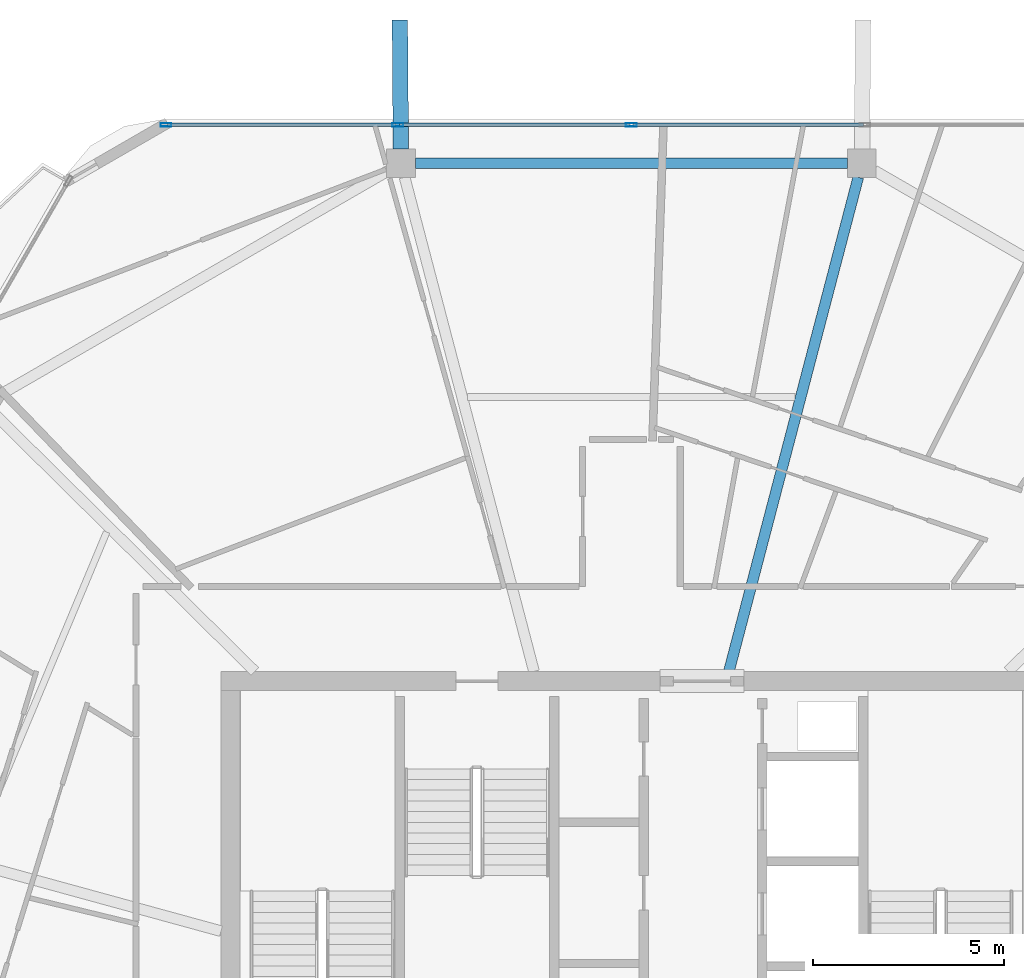
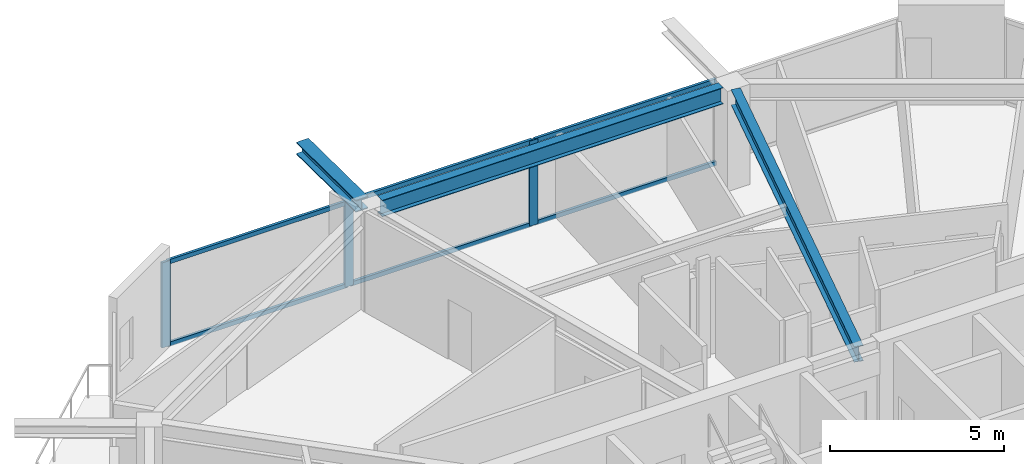
# One storey, part 10 of 23: 9 members, 3 beams, 1 element without a shape of its own.
"""IFC4 building model written with IfcOpenShell, lengths in metres."""

from ifc_helpers import new_model, si_unit, direction, frame, origin, origin_2d, place, context, subcontext, project, spatial, hollow_rectangle, i_section, extrude, material, material_profile, profile_set, type_object, element, aggregate, save


model = new_model("IFC4")

# Units and contexts
model_context = context("Model", 3, precision=1e-05, world=origin(), true_north=direction((0.0, 1.0)))
body_context = subcontext(model_context, "Body", "Model", "MODEL_VIEW")
ifc_project = project(units=[si_unit("LENGTHUNIT", "METRE"), si_unit("AREAUNIT", "SQUARE_METRE"), si_unit("VOLUMEUNIT", "CUBIC_METRE"), si_unit("PLANEANGLEUNIT", "RADIAN"), si_unit("MASSUNIT", "GRAM", prefix="KILO")], contexts=[model_context])

# Site, building, storey
site_placement = place(None, origin())
site = spatial("IfcSite", under=ifc_project, at=site_placement, CompositionType="ELEMENT")
building_placement = place(site_placement, origin())
building = spatial("IfcBuilding", under=site, at=building_placement, Name="Zuhravey Tower", CompositionType="ELEMENT")
storey_placement = place(building_placement, frame((0.0, 0.0, 350.0)))
storey = spatial("IfcBuildingStorey", under=building, at=storey_placement, Name="L89", CompositionType="ELEMENT", Elevation=350.0)

# Curtain wall, members
ifc_material_1 = material(Name="Thermally broken anodised aluminium", Category="aluminium")
curtain_wall_type = type_object("IfcCurtainWallType", Name="Zone 3-4 High-Rise Curtain Wall CW4", PredefinedType="NOTDEFINED", material=ifc_material_1)
curtain_wall_placement = place(storey_placement, origin())
curtain_wall = element("IfcCurtainWall", 1, at=curtain_wall_placement, inside=storey, type_object=curtain_wall_type, Name="L89 CW4 CW-L89-F2-1", PredefinedType="NOTDEFINED")
ifc_material_2 = material(Name="Anodised aluminium", Category="aluminium")
ifc_material_profile_1 = material_profile(ifc_material_2, hollow_rectangle(XDim=0.090087890625, YDim=0.284912109375, WallThickness=0.0048828125, at=origin_2d()), Name="ALU-RHS-90x285x5")
ifc_profile_set_1 = profile_set([ifc_material_profile_1], Name="Anodised aluminium")
member_type_1 = type_object("IfcMemberType", Name="Curtain-Wall Mullion 90x180", PredefinedType="MULLION", material=ifc_profile_set_1)
member_1_placement = place(storey_placement, frame((23.8056640625, 56.07421875, 0.0), z_axis=(0.0, 0.0, 1.0), x_axis=(0.0, 1.0, 0.0)))
member_1 = element("IfcMember", 2, at=member_1_placement, type_object=member_type_1, Name="CW4 mullion 1", PredefinedType="MULLION", context=body_context, shape_type="SweptSolid", body=[
    extrude(hollow_rectangle(XDim=0.090087890625, YDim=0.284912109375, WallThickness=0.0048828125, at=origin_2d()), origin(), (0.0, 0.0, 1.0), 2.987060546875),
])
member_2_placement = place(storey_placement, frame((29.88037109375, 56.07421875, 0.0), z_axis=(0.0, 0.0, 1.0), x_axis=(0.0, 1.0, 0.0)))
member_2 = element("IfcMember", 3, at=member_2_placement, type_object=member_type_1, Name="CW4 mullion 2", PredefinedType="MULLION", context=body_context, shape_type="SweptSolid", body=[
    extrude(hollow_rectangle(XDim=0.090087890625, YDim=0.284912109375, WallThickness=0.0048828125, at=origin_2d()), origin(), (0.0, 0.0, 1.0), 2.987060546875),
])
member_3_placement = place(storey_placement, frame((36.0, 56.07421875, 0.0), z_axis=(0.0, 0.0, 1.0), x_axis=(0.0, 1.0, 0.0)))
member_3 = element("IfcMember", 4, at=member_3_placement, type_object=member_type_1, Name="CW4 mullion 3", PredefinedType="MULLION", context=body_context, shape_type="SweptSolid", body=[
    extrude(hollow_rectangle(XDim=0.090087890625, YDim=0.284912109375, WallThickness=0.0048828125, at=origin_2d()), origin(), (0.0, 0.0, 1.0), 2.987060546875),
])
ifc_material_profile_2 = material_profile(ifc_material_2, hollow_rectangle(XDim=0.090087890625, YDim=0.14990234375, WallThickness=0.0048828125, at=origin_2d()), Name="ALU-RHS-90x150x5")
ifc_profile_set_2 = profile_set([ifc_material_profile_2], Name="Anodised aluminium")
member_type_2 = type_object("IfcMemberType", Name="Curtain-Wall Transom 90x150", PredefinedType="USERDEFINED", material=ifc_profile_set_2)
member_4_placement = place(storey_placement, frame((23.8505859375, 56.07421875, 0.044921875), z_axis=(1.0, 0.0, 0.0), x_axis=(0.0, 1.0, 0.0)))
member_4 = element("IfcMember", 5, at=member_4_placement, type_object=member_type_2, Name="CW4 transom 1.1", ObjectType="TRANSOM", PredefinedType="USERDEFINED", context=body_context, shape_type="SweptSolid", body=[
    extrude(hollow_rectangle(XDim=0.090087890625, YDim=0.14990234375, WallThickness=0.0048828125, at=origin_2d()), origin(), (0.0, 0.0, 1.0), 5.98486328125),
])
member_5_placement = place(storey_placement, frame((23.8505859375, 56.07421875, 2.94189453125), z_axis=(1.0, 0.0, 0.0), x_axis=(0.0, 1.0, 0.0)))
member_5 = element("IfcMember", 6, at=member_5_placement, type_object=member_type_2, Name="CW4 transom 1.2", ObjectType="TRANSOM", PredefinedType="USERDEFINED", context=body_context, shape_type="SweptSolid", body=[
    extrude(hollow_rectangle(XDim=0.090087890625, YDim=0.14990234375, WallThickness=0.0048828125, at=origin_2d()), origin(), (0.0, 0.0, 1.0), 5.98486328125),
])
member_6_placement = place(storey_placement, frame((29.92529296875, 56.07421875, 0.044921875), z_axis=(1.0, 0.0, 0.0), x_axis=(0.0, 1.0, 0.0)))
member_6 = element("IfcMember", 7, at=member_6_placement, type_object=member_type_2, Name="CW4 transom 2.1", ObjectType="TRANSOM", PredefinedType="USERDEFINED", context=body_context, shape_type="SweptSolid", body=[
    extrude(hollow_rectangle(XDim=0.090087890625, YDim=0.14990234375, WallThickness=0.0048828125, at=origin_2d()), origin(), (0.0, 0.0, 1.0), 6.02978515625),
])
member_7_placement = place(storey_placement, frame((29.92529296875, 56.07421875, 2.94189453125), z_axis=(1.0, 0.0, 0.0), x_axis=(0.0, 1.0, 0.0)))
member_7 = element("IfcMember", 8, at=member_7_placement, type_object=member_type_2, Name="CW4 transom 2.2", ObjectType="TRANSOM", PredefinedType="USERDEFINED", context=body_context, shape_type="SweptSolid", body=[
    extrude(hollow_rectangle(XDim=0.090087890625, YDim=0.14990234375, WallThickness=0.0048828125, at=origin_2d()), origin(), (0.0, 0.0, 1.0), 6.02978515625),
])
member_8_placement = place(storey_placement, frame((36.044921875, 56.07421875, 0.044921875), z_axis=(1.0, 0.0, 0.0), x_axis=(0.0, 1.0, 0.0)))
member_8 = element("IfcMember", 9, at=member_8_placement, type_object=member_type_2, Name="CW4 transom 3.1", ObjectType="TRANSOM", PredefinedType="USERDEFINED", context=body_context, shape_type="SweptSolid", body=[
    extrude(hollow_rectangle(XDim=0.090087890625, YDim=0.14990234375, WallThickness=0.0048828125, at=origin_2d()), origin(), (0.0, 0.0, 1.0), 6.02978515625),
])
member_9_placement = place(storey_placement, frame((36.044921875, 56.07421875, 2.94189453125), z_axis=(1.0, 0.0, 0.0), x_axis=(0.0, 1.0, 0.0)))
member_9 = element("IfcMember", 10, at=member_9_placement, type_object=member_type_2, Name="CW4 transom 3.2", ObjectType="TRANSOM", PredefinedType="USERDEFINED", context=body_context, shape_type="SweptSolid", body=[
    extrude(hollow_rectangle(XDim=0.090087890625, YDim=0.14990234375, WallThickness=0.0048828125, at=origin_2d()), origin(), (0.0, 0.0, 1.0), 6.02978515625),
])
aggregate(curtain_wall, [member_1, member_2, member_3, member_4, member_5, member_6, member_7, member_8, member_9])

# Beams
ifc_material_3 = material(Name="Steel SM460", Category="steel")
ifc_material_profile_3 = material_profile(ifc_material_3, i_section(OverallWidth=0.406982421875, OverallDepth=0.427978515625, WebThickness=0.02001953125, FlangeThickness=0.034912109375, at=origin_2d()), Name="H-428x407x20x35")
ifc_profile_set_3 = profile_set([ifc_material_profile_3], Name="Steel SM460")
beam_type_1 = type_object("IfcBeamType", Name="Exoskeleton Node Tie Beam H428x407", PredefinedType="BEAM", material=ifc_profile_set_3)
beam_1_placement = place(storey_placement, frame((29.95849609375, 55.443115234375, 3.200927734375), z_axis=(-0.007665380805, 0.999970620537, 0.0), x_axis=(-0.999970620537, -0.007665380805, 0.0)))
element("IfcBeam", 11, at=beam_1_placement, inside=storey, type_object=beam_type_1, Name="L89 Exoskeleton Node Tie NT1-04", PredefinedType="BEAM", context=body_context, shape_type="SweptSolid", body=[
    extrude(i_section(OverallWidth=0.406982421875, OverallDepth=0.427978515625, WebThickness=0.02001953125, FlangeThickness=0.034912109375, at=origin_2d()), origin(), (0.0, 0.0, 1.0), 3.3759765625),
])
ifc_material_4 = material(Name="Steel SM355", Category="steel")
ifc_material_profile_4 = material_profile(ifc_material_4, i_section(OverallWidth=0.280029296875, OverallDepth=0.580078125, WebThickness=0.011962890625, FlangeThickness=0.01904296875, at=origin_2d()), Name="H-580x280x12x19")
ifc_profile_set_4 = profile_set([ifc_material_profile_4], Name="Steel SM355")
beam_type_2 = type_object("IfcBeamType", Name="Perimeter Ring Beam H580x280", PredefinedType="BEAM", material=ifc_profile_set_4)
beam_2_placement = place(storey_placement, frame((41.66064453125, 55.064208984375, 3.22998046875), z_axis=(-1.0, 0.0, 0.0), x_axis=(0.0, -1.0, 0.0)))
element("IfcBeam", 12, at=beam_2_placement, inside=storey, type_object=beam_type_2, Name="L89 PB4 BM-L89-PB-03", PredefinedType="BEAM", context=body_context, shape_type="SweptSolid", body=[
    extrude(i_section(OverallWidth=0.280029296875, OverallDepth=0.580078125, WebThickness=0.011962890625, FlangeThickness=0.01904296875, at=origin_2d()), origin(), (0.0, 0.0, 1.0), 11.3212890625),
])
ifc_material_profile_5 = material_profile(ifc_material_4, i_section(OverallWidth=0.280029296875, OverallDepth=0.550048828125, WebThickness=0.010986328125, FlangeThickness=0.01806640625, at=origin_2d()), Name="H-550x280x11x18")
ifc_profile_set_5 = profile_set([ifc_material_profile_5], Name="Steel SM355")
beam_type_3 = type_object("IfcBeamType", Name="Radial Primary Girder H550x280", PredefinedType="BEAM", material=ifc_profile_set_5)
beam_3_placement = place(storey_placement, frame((38.553466796875, 41.7529296875, 3.2451171875), z_axis=(0.253282562653, 0.967392342049, 0.0), x_axis=(-0.967392342049, 0.253282562653, 0.0)))
element("IfcBeam", 13, at=beam_3_placement, inside=storey, type_object=beam_type_3, Name="L89 RG4 BM-L89-RAD-03", PredefinedType="BEAM", context=body_context, shape_type="SweptSolid", body=[
    extrude(i_section(OverallWidth=0.280029296875, OverallDepth=0.550048828125, WebThickness=0.010986328125, FlangeThickness=0.01806640625, at=origin_2d()), origin(), (0.0, 0.0, 1.0), 13.3818359375),
])

save(model, "model.ifc")
